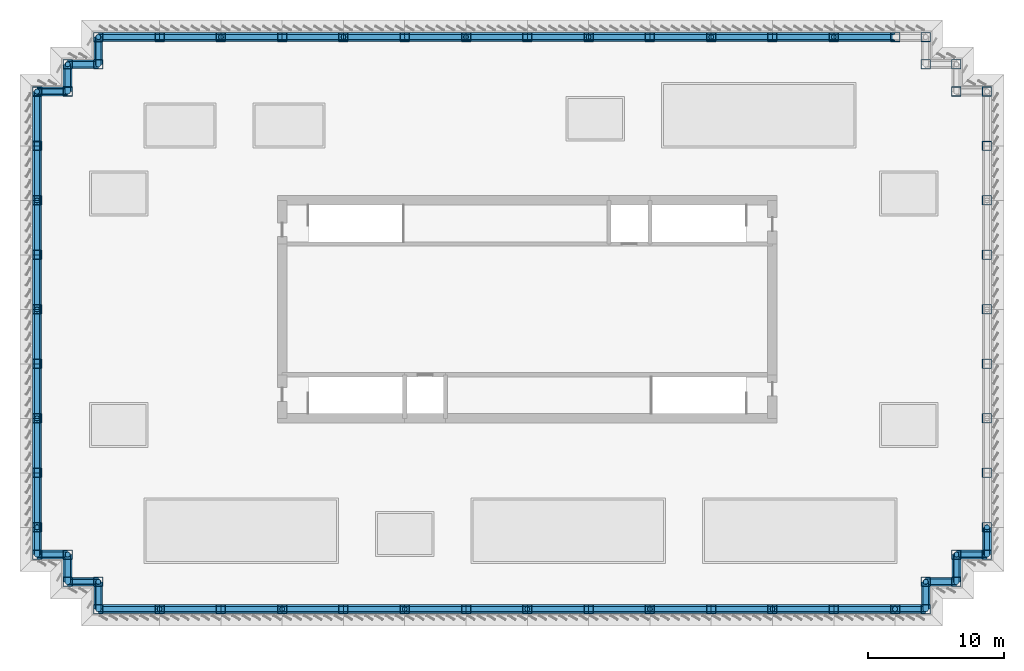
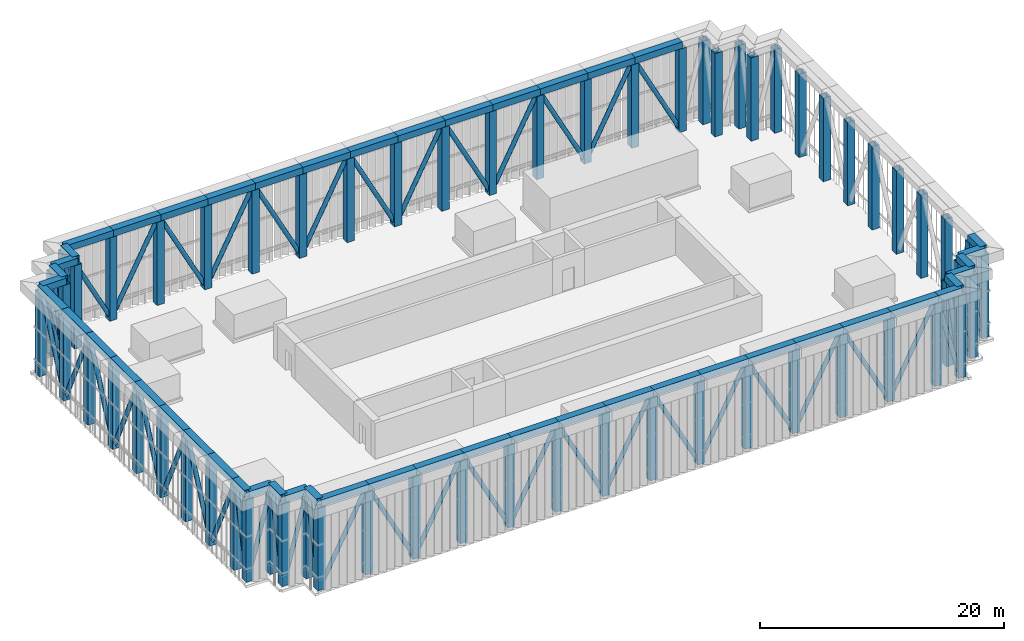
# One storey, part 1 of 11: 62 columns, 49 beams, 49 members.
"""IFC4 building model written with IfcOpenShell, lengths in metres."""

from ifc_helpers import new_model, si_unit, direction, frame, origin, origin_2d, place, context, subcontext, project, spatial, hollow_rectangle, hollow_circle, extrude, material, material_profile, profile_set, type_object, element, save


model = new_model("IFC4")

# Units and contexts
model_context = context("Model", 3, precision=1e-05, world=origin(), true_north=direction((0.0, 1.0)))
body_context = subcontext(model_context, "Body", "Model", "MODEL_VIEW")
ifc_project = project(units=[si_unit("LENGTHUNIT", "METRE"), si_unit("AREAUNIT", "SQUARE_METRE"), si_unit("VOLUMEUNIT", "CUBIC_METRE"), si_unit("PLANEANGLEUNIT", "RADIAN"), si_unit("MASSUNIT", "GRAM", prefix="KILO")], contexts=[model_context])

# Site, building, storey
site_placement = place(None, origin())
site = spatial("IfcSite", under=ifc_project, at=site_placement, CompositionType="ELEMENT")
building_placement = place(site_placement, origin())
building = spatial("IfcBuilding", under=site, at=building_placement, Name="Rheinbord Bourse Tower", CompositionType="ELEMENT")
storey_placement = place(building_placement, frame((0.0, 0.0, 334.10009765625)))
storey = spatial("IfcBuildingStorey", under=building, at=storey_placement, Name="RF", CompositionType="ELEMENT", Elevation=334.10009765625)

# Columns
ifc_material_1 = material(Name="Steel S460", Category="steel")
ifc_material_profile_1 = material_profile(ifc_material_1, hollow_rectangle(XDim=0.699951171875, YDim=0.699951171875, WallThickness=0.0400390625, at=origin_2d()), Name="BOX 700x700x40")
ifc_profile_set_1 = profile_set([ifc_material_profile_1], Name="Steel S460")
column_type = type_object("IfcColumnType", Name="CROWN FRAME POST BOX 700x700x40", PredefinedType="COLUMN", material=ifc_profile_set_1)
for number, where, z_axis, x_axis, name in (
    (1, (4.5, 2.0, 0.0), (0.0, 0.0, 1.0), (1.0, 0.0, 0.0), "Crown frame post SW-E"),
    (2, (9.0, 2.0, 0.0), (0.0, 0.0, 1.0), (1.0, 0.0, 0.0), "Crown frame post S-9"),
    (3, (13.5, 2.0, 0.0), (0.0, 0.0, 1.0), (1.0, 0.0, 0.0), "Crown frame post S-13.5"),
    (4, (18.0, 2.0, 0.0), (0.0, 0.0, 1.0), (1.0, 0.0, 0.0), "Crown frame post S-18"),
    (5, (22.5, 2.0, 0.0), (0.0, 0.0, 1.0), (1.0, 0.0, 0.0), "Crown frame post S-22.5"),
    (6, (27.0, 2.0, 0.0), (0.0, 0.0, 1.0), (1.0, 0.0, 0.0), "Crown frame post S-27"),
    (7, (31.5, 2.0, 0.0), (0.0, 0.0, 1.0), (1.0, 0.0, 0.0), "Crown frame post S-31.5"),
    (8, (36.0, 2.0, 0.0), (0.0, 0.0, 1.0), (1.0, 0.0, 0.0), "Crown frame post S-36"),
    (9, (40.5, 2.0, 0.0), (0.0, 0.0, 1.0), (1.0, 0.0, 0.0), "Crown frame post S-40.5"),
    (10, (45.0, 2.0, 0.0), (0.0, 0.0, 1.0), (1.0, 0.0, 0.0), "Crown frame post S-45"),
    (11, (49.5, 2.0, 0.0), (0.0, 0.0, 1.0), (1.0, 0.0, 0.0), "Crown frame post S-49.5"),
    (12, (54.0, 2.0, 0.0), (0.0, 0.0, 1.0), (1.0, 0.0, 0.0), "Crown frame post S-54"),
    (13, (58.5, 2.0, 0.0), (0.0, 0.0, 1.0), (1.0, 0.0, 0.0), "Crown frame post S-58.5"),
    (14, (63.0, 2.0, 0.0), (0.0, 0.0, 1.0), (1.0, 0.0, 0.0), "Crown frame post S-63"),
    (15, (65.25, 2.0, 0.0), (0.0, 0.0, 1.0), (1.0, 0.0, 0.0), "Crown frame post SE-E"),
    (16, (65.25, 4.0, 0.0), (0.0, 0.0, 1.0), (1.0, 0.0, 0.0), "Crown frame post SE-D"),
    (17, (67.5, 4.0, 0.0), (0.0, 0.0, 1.0), (1.0, 0.0, 0.0), "Crown frame post SE-C"),
    (18, (67.5, 6.0, 0.0), (0.0, 0.0, 1.0), (1.0, 0.0, 0.0), "Crown frame post SE-B"),
    (19, (69.75, 6.0, 0.0), (0.0, 0.0, 1.0), (1.0, 0.0, 0.0), "Crown frame post SE-A"),
    (20, (69.75, 8.0, 0.0), (0.0, 0.0, 1.0), (1.0, 0.0, 0.0), "Crown frame post E-8"),
    (21, (69.75, 12.0, 0.0), (0.0, 0.0, 1.0), (1.0, 0.0, 0.0), "Crown frame post E-12"),
    (22, (69.75, 16.0, 0.0), (0.0, 0.0, 1.0), (1.0, 0.0, 0.0), "Crown frame post E-16"),
    (23, (69.75, 20.0, 0.0), (0.0, 0.0, 1.0), (1.0, 0.0, 0.0), "Crown frame post E-20"),
    (24, (69.75, 24.0, 0.0), (0.0, 0.0, 1.0), (1.0, 0.0, 0.0), "Crown frame post E-24"),
    (25, (69.75, 28.0, 0.0), (0.0, 0.0, 1.0), (1.0, 0.0, 0.0), "Crown frame post E-28"),
    (26, (69.75, 32.0, 0.0), (0.0, 0.0, 1.0), (1.0, 0.0, 0.0), "Crown frame post E-32"),
    (27, (69.75, 36.0, 0.0), (0.0, 0.0, 1.0), (1.0, 0.0, 0.0), "Crown frame post E-36"),
    (28, (69.75, 40.0, 0.0), (0.0, 0.0, 1.0), (1.0, 0.0, 0.0), "Crown frame post NE-A"),
    (29, (67.5, 40.0, 0.0), (0.0, 0.0, 1.0), (1.0, 0.0, 0.0), "Crown frame post NE-B"),
    (30, (67.5, 42.0, 0.0), (0.0, 0.0, 1.0), (1.0, 0.0, 0.0), "Crown frame post NE-C"),
    (31, (65.25, 42.0, 0.0), (0.0, 0.0, 1.0), (1.0, 0.0, 0.0), "Crown frame post NE-D"),
    (32, (65.25, 44.0, 0.0), (0.0, 0.0, 1.0), (1.0, 0.0, 0.0), "Crown frame post NE-E"),
    (33, (63.0, 44.0, 0.0), (0.0, 0.0, 1.0), (1.0, 0.0, 0.0), "Crown frame post N-63"),
    (34, (58.5, 44.0, 0.0), (0.0, 0.0, 1.0), (1.0, 0.0, 0.0), "Crown frame post N-58.5"),
    (35, (54.0, 44.0, 0.0), (0.0, 0.0, 1.0), (1.0, 0.0, 0.0), "Crown frame post N-54"),
    (36, (49.5, 44.0, 0.0), (0.0, 0.0, 1.0), (1.0, 0.0, 0.0), "Crown frame post N-49.5"),
    (37, (45.0, 44.0, 0.0), (0.0, 0.0, 1.0), (1.0, 0.0, 0.0), "Crown frame post N-45"),
    (38, (40.5, 44.0, 0.0), (0.0, 0.0, 1.0), (1.0, 0.0, 0.0), "Crown frame post N-40.5"),
    (39, (36.0, 44.0, 0.0), (0.0, 0.0, 1.0), (1.0, 0.0, 0.0), "Crown frame post N-36"),
    (40, (31.5, 44.0, 0.0), (0.0, 0.0, 1.0), (1.0, 0.0, 0.0), "Crown frame post N-31.5"),
    (41, (27.0, 44.0, 0.0), (0.0, 0.0, 1.0), (1.0, 0.0, 0.0), "Crown frame post N-27"),
    (42, (22.5, 44.0, 0.0), (0.0, 0.0, 1.0), (1.0, 0.0, 0.0), "Crown frame post N-22.5"),
    (43, (18.0, 44.0, 0.0), (0.0, 0.0, 1.0), (1.0, 0.0, 0.0), "Crown frame post N-18"),
    (44, (13.5, 44.0, 0.0), (0.0, 0.0, 1.0), (1.0, 0.0, 0.0), "Crown frame post N-13.5"),
    (45, (9.0, 44.0, 0.0), (0.0, 0.0, 1.0), (1.0, 0.0, 0.0), "Crown frame post N-9"),
    (46, (4.5, 44.0, 0.0), (0.0, 0.0, 1.0), (1.0, 0.0, 0.0), "Crown frame post NW-E"),
    (47, (4.5, 42.0, 0.0), (0.0, 0.0, 1.0), (1.0, 0.0, 0.0), "Crown frame post NW-D"),
    (48, (2.25, 42.0, 0.0), (0.0, 0.0, 1.0), (1.0, 0.0, 0.0), "Crown frame post NW-C"),
    (49, (2.25, 40.0, 0.0), (0.0, 0.0, 1.0), (1.0, 0.0, 0.0), "Crown frame post NW-B"),
    (50, (0.0, 40.0, 0.0), (0.0, 0.0, 1.0), (1.0, 0.0, 0.0), "Crown frame post NW-A"),
    (51, (0.0, 36.0, 0.0), (0.0, 0.0, 1.0), (1.0, 0.0, 0.0), "Crown frame post W-36"),
    (52, (0.0, 32.0, 0.0), (0.0, 0.0, 1.0), (1.0, 0.0, 0.0), "Crown frame post W-32"),
    (53, (0.0, 28.0, 0.0), (0.0, 0.0, 1.0), (1.0, 0.0, 0.0), "Crown frame post W-28"),
    (54, (0.0, 24.0, 0.0), (0.0, 0.0, 1.0), (1.0, 0.0, 0.0), "Crown frame post W-24"),
    (55, (0.0, 20.0, 0.0), (0.0, 0.0, 1.0), (1.0, 0.0, 0.0), "Crown frame post W-20"),
    (56, (0.0, 16.0, 0.0), (0.0, 0.0, 1.0), (1.0, 0.0, 0.0), "Crown frame post W-16"),
    (57, (0.0, 12.0, 0.0), (0.0, 0.0, 1.0), (1.0, 0.0, 0.0), "Crown frame post W-12"),
    (58, (0.0, 8.0, 0.0), (0.0, 0.0, 1.0), (1.0, 0.0, 0.0), "Crown frame post W-8"),
    (59, (0.0, 6.0, 0.0), (0.0, 0.0, 1.0), (1.0, 0.0, 0.0), "Crown frame post SW-A"),
    (60, (2.25, 6.0, 0.0), (0.0, 0.0, 1.0), (1.0, 0.0, 0.0), "Crown frame post SW-B"),
    (61, (2.25, 4.0, 0.0), (0.0, 0.0, 1.0), (1.0, 0.0, 0.0), "Crown frame post SW-C"),
    (62, (4.5, 4.0, 0.0), (0.0, 0.0, 1.0), (1.0, 0.0, 0.0), "Crown frame post SW-D"),
):
    element("IfcColumn", number, at=place(storey_placement, frame(where, z_axis=z_axis, x_axis=x_axis)), inside=storey, type_object=column_type, Name=name, PredefinedType="COLUMN", context=body_context, shape_type="SweptSolid", body=[
        extrude(hollow_rectangle(XDim=0.699951171875, YDim=0.699951171875, WallThickness=0.0400390625, at=origin_2d()), origin(), (0.0, 0.0, 1.0), 8.349853515625),
    ])

# Members
ifc_material_2 = material(Name="Steel S460", Category="steel")
ifc_material_profile_2 = material_profile(ifc_material_2, hollow_circle(Radius=0.203125, WallThickness=0.02001953125, at=origin_2d()), Name="CHS 406.4x20")
ifc_profile_set_2 = profile_set([ifc_material_profile_2], Name="Steel S460")
member_type = type_object("IfcMemberType", Name="CROWN FRAME DIAGONAL CHS 406.4x20", PredefinedType="USERDEFINED", material=ifc_profile_set_2)
for number, where, z_axis, x_axis, name in (
    (63, (4.5, 2.0, 0.0), (0.460474667548, 0.0, 0.887672845449), (0.0, 1.0, 0.0), "Crown frame diagonal SW-E-S-9"),
    (64, (13.5, 2.0, 0.0), (-0.460474667548, 0.0, 0.887672845449), (0.0, -1.0, 0.0), "Crown frame diagonal S-9-S-13.5"),
    (65, (13.5, 2.0, 0.0), (0.460474667548, 0.0, 0.887672845449), (0.0, 1.0, 0.0), "Crown frame diagonal S-13.5-S-18"),
    (66, (22.5, 2.0, 0.0), (-0.460474667548, 0.0, 0.887672845449), (0.0, -1.0, 0.0), "Crown frame diagonal S-18-S-22.5"),
    (67, (22.5, 2.0, 0.0), (0.460474667548, 0.0, 0.887672845449), (0.0, 1.0, 0.0), "Crown frame diagonal S-22.5-S-27"),
    (68, (31.5, 2.0, 0.0), (-0.460474667548, 0.0, 0.887672845449), (0.0, -1.0, 0.0), "Crown frame diagonal S-27-S-31.5"),
    (69, (31.5, 2.0, 0.0), (0.460474667548, 0.0, 0.887672845449), (0.0, 1.0, 0.0), "Crown frame diagonal S-31.5-S-36"),
    (70, (40.5, 2.0, 0.0), (-0.460474667548, 0.0, 0.887672845449), (0.0, -1.0, 0.0), "Crown frame diagonal S-36-S-40.5"),
    (71, (40.5, 2.0, 0.0), (0.460474667548, 0.0, 0.887672845449), (0.0, 1.0, 0.0), "Crown frame diagonal S-40.5-S-45"),
    (72, (49.5, 2.0, 0.0), (-0.460474667548, 0.0, 0.887672845449), (0.0, -1.0, 0.0), "Crown frame diagonal S-45-S-49.5"),
    (73, (49.5, 2.0, 0.0), (0.460474667548, 0.0, 0.887672845449), (0.0, 1.0, 0.0), "Crown frame diagonal S-49.5-S-54"),
    (74, (58.5, 2.0, 0.0), (-0.460474667548, 0.0, 0.887672845449), (0.0, -1.0, 0.0), "Crown frame diagonal S-54-S-58.5"),
    (75, (58.5, 2.0, 0.0), (0.460474667548, 0.0, 0.887672845449), (0.0, 1.0, 0.0), "Crown frame diagonal S-58.5-S-63"),
):
    element("IfcMember", number, at=place(storey_placement, frame(where, z_axis=z_axis, x_axis=x_axis)), inside=storey, type_object=member_type, Name=name, ObjectType="CROWN FRAME", PredefinedType="USERDEFINED", context=body_context, shape_type="SweptSolid", body=[
        extrude(hollow_circle(Radius=0.203125, WallThickness=0.02001953125, at=origin_2d()), origin(), (0.0, 0.0, 1.0), 9.7724609375),
    ])
member_1_placement = place(storey_placement, frame((65.25, 2.0, 0.0), z_axis=(-0.251064263174, 0.0, 0.96797042091), x_axis=(0.0, -1.0, 0.0)))
element("IfcMember", 76, at=member_1_placement, inside=storey, type_object=member_type, Name="Crown frame diagonal S-63-SE-E", ObjectType="CROWN FRAME", PredefinedType="USERDEFINED", context=body_context, shape_type="SweptSolid", body=[
    extrude(hollow_circle(Radius=0.203125, WallThickness=0.02001953125, at=origin_2d()), origin(), (0.0, 0.0, 1.0), 8.9619140625),
])
member_2_placement = place(storey_placement, frame((65.25, 2.0, 0.0), z_axis=(0.0, 0.224659212699, 0.974437395706), x_axis=(-1.0, 0.0, 0.0)))
element("IfcMember", 77, at=member_2_placement, inside=storey, type_object=member_type, Name="Crown frame diagonal SE-E-SE-D", ObjectType="CROWN FRAME", PredefinedType="USERDEFINED", context=body_context, shape_type="SweptSolid", body=[
    extrude(hollow_circle(Radius=0.203125, WallThickness=0.02001953125, at=origin_2d()), origin(), (0.0, 0.0, 1.0), 8.90234375),
])
member_3_placement = place(storey_placement, frame((67.5, 4.0, 0.0), z_axis=(-0.251064263174, 0.0, 0.96797042091), x_axis=(0.0, -1.0, 0.0)))
element("IfcMember", 78, at=member_3_placement, inside=storey, type_object=member_type, Name="Crown frame diagonal SE-D-SE-C", ObjectType="CROWN FRAME", PredefinedType="USERDEFINED", context=body_context, shape_type="SweptSolid", body=[
    extrude(hollow_circle(Radius=0.203125, WallThickness=0.02001953125, at=origin_2d()), origin(), (0.0, 0.0, 1.0), 8.9619140625),
])
member_4_placement = place(storey_placement, frame((67.5, 4.0, 0.0), z_axis=(0.0, 0.224659212699, 0.974437395706), x_axis=(-1.0, 0.0, 0.0)))
element("IfcMember", 79, at=member_4_placement, inside=storey, type_object=member_type, Name="Crown frame diagonal SE-C-SE-B", ObjectType="CROWN FRAME", PredefinedType="USERDEFINED", context=body_context, shape_type="SweptSolid", body=[
    extrude(hollow_circle(Radius=0.203125, WallThickness=0.02001953125, at=origin_2d()), origin(), (0.0, 0.0, 1.0), 8.90234375),
])
member_5_placement = place(storey_placement, frame((69.75, 6.0, 0.0), z_axis=(-0.251064263174, 0.0, 0.96797042091), x_axis=(0.0, -1.0, 0.0)))
element("IfcMember", 80, at=member_5_placement, inside=storey, type_object=member_type, Name="Crown frame diagonal SE-B-SE-A", ObjectType="CROWN FRAME", PredefinedType="USERDEFINED", context=body_context, shape_type="SweptSolid", body=[
    extrude(hollow_circle(Radius=0.203125, WallThickness=0.02001953125, at=origin_2d()), origin(), (0.0, 0.0, 1.0), 8.9619140625),
])
member_6_placement = place(storey_placement, frame((69.75, 6.0, 0.0), z_axis=(0.0, 0.224659212699, 0.974437395706), x_axis=(-1.0, 0.0, 0.0)))
element("IfcMember", 81, at=member_6_placement, inside=storey, type_object=member_type, Name="Crown frame diagonal SE-A-E-8", ObjectType="CROWN FRAME", PredefinedType="USERDEFINED", context=body_context, shape_type="SweptSolid", body=[
    extrude(hollow_circle(Radius=0.203125, WallThickness=0.02001953125, at=origin_2d()), origin(), (0.0, 0.0, 1.0), 8.90234375),
])
for number, where, z_axis, x_axis, name in (
    (82, (63.0, 44.0, 0.0), (-0.460474667548, 0.0, 0.887672845449), (0.0, -1.0, 0.0), "Crown frame diagonal N-63-N-58.5"),
    (83, (54.0, 44.0, 0.0), (0.460474667548, 0.0, 0.887672845449), (0.0, 1.0, 0.0), "Crown frame diagonal N-58.5-N-54"),
    (84, (54.0, 44.0, 0.0), (-0.460474667548, 0.0, 0.887672845449), (0.0, -1.0, 0.0), "Crown frame diagonal N-54-N-49.5"),
    (85, (45.0, 44.0, 0.0), (0.460474667548, 0.0, 0.887672845449), (0.0, 1.0, 0.0), "Crown frame diagonal N-49.5-N-45"),
    (86, (45.0, 44.0, 0.0), (-0.460474667548, 0.0, 0.887672845449), (0.0, -1.0, 0.0), "Crown frame diagonal N-45-N-40.5"),
    (87, (36.0, 44.0, 0.0), (0.460474667548, 0.0, 0.887672845449), (0.0, 1.0, 0.0), "Crown frame diagonal N-40.5-N-36"),
    (88, (36.0, 44.0, 0.0), (-0.460474667548, 0.0, 0.887672845449), (0.0, -1.0, 0.0), "Crown frame diagonal N-36-N-31.5"),
    (89, (27.0, 44.0, 0.0), (0.460474667548, 0.0, 0.887672845449), (0.0, 1.0, 0.0), "Crown frame diagonal N-31.5-N-27"),
    (90, (27.0, 44.0, 0.0), (-0.460474667548, 0.0, 0.887672845449), (0.0, -1.0, 0.0), "Crown frame diagonal N-27-N-22.5"),
    (91, (18.0, 44.0, 0.0), (0.460474667548, 0.0, 0.887672845449), (0.0, 1.0, 0.0), "Crown frame diagonal N-22.5-N-18"),
    (92, (18.0, 44.0, 0.0), (-0.460474667548, 0.0, 0.887672845449), (0.0, -1.0, 0.0), "Crown frame diagonal N-18-N-13.5"),
    (93, (9.0, 44.0, 0.0), (0.460474667548, 0.0, 0.887672845449), (0.0, 1.0, 0.0), "Crown frame diagonal N-13.5-N-9"),
    (94, (9.0, 44.0, 0.0), (-0.460474667548, 0.0, 0.887672845449), (0.0, -1.0, 0.0), "Crown frame diagonal N-9-NW-E"),
):
    element("IfcMember", number, at=place(storey_placement, frame(where, z_axis=z_axis, x_axis=x_axis)), inside=storey, type_object=member_type, Name=name, ObjectType="CROWN FRAME", PredefinedType="USERDEFINED", context=body_context, shape_type="SweptSolid", body=[
        extrude(hollow_circle(Radius=0.203125, WallThickness=0.02001953125, at=origin_2d()), origin(), (0.0, 0.0, 1.0), 9.7724609375),
    ])
member_7_placement = place(storey_placement, frame((4.5, 42.0, 0.0), z_axis=(0.0, 0.224659212699, 0.974437395706), x_axis=(-1.0, 0.0, 0.0)))
element("IfcMember", 95, at=member_7_placement, inside=storey, type_object=member_type, Name="Crown frame diagonal NW-E-NW-D", ObjectType="CROWN FRAME", PredefinedType="USERDEFINED", context=body_context, shape_type="SweptSolid", body=[
    extrude(hollow_circle(Radius=0.203125, WallThickness=0.02001953125, at=origin_2d()), origin(), (0.0, 0.0, 1.0), 8.90234375),
])
member_8_placement = place(storey_placement, frame((4.5, 42.0, 0.0), z_axis=(-0.251064263174, 0.0, 0.96797042091), x_axis=(0.0, -1.0, 0.0)))
element("IfcMember", 96, at=member_8_placement, inside=storey, type_object=member_type, Name="Crown frame diagonal NW-D-NW-C", ObjectType="CROWN FRAME", PredefinedType="USERDEFINED", context=body_context, shape_type="SweptSolid", body=[
    extrude(hollow_circle(Radius=0.203125, WallThickness=0.02001953125, at=origin_2d()), origin(), (0.0, 0.0, 1.0), 8.9619140625),
])
member_9_placement = place(storey_placement, frame((2.25, 40.0, 0.0), z_axis=(0.0, 0.224659212699, 0.974437395706), x_axis=(-1.0, 0.0, 0.0)))
element("IfcMember", 97, at=member_9_placement, inside=storey, type_object=member_type, Name="Crown frame diagonal NW-C-NW-B", ObjectType="CROWN FRAME", PredefinedType="USERDEFINED", context=body_context, shape_type="SweptSolid", body=[
    extrude(hollow_circle(Radius=0.203125, WallThickness=0.02001953125, at=origin_2d()), origin(), (0.0, 0.0, 1.0), 8.90234375),
])
member_10_placement = place(storey_placement, frame((2.25, 40.0, 0.0), z_axis=(-0.251064263174, 0.0, 0.96797042091), x_axis=(0.0, -1.0, 0.0)))
element("IfcMember", 98, at=member_10_placement, inside=storey, type_object=member_type, Name="Crown frame diagonal NW-B-NW-A", ObjectType="CROWN FRAME", PredefinedType="USERDEFINED", context=body_context, shape_type="SweptSolid", body=[
    extrude(hollow_circle(Radius=0.203125, WallThickness=0.02001953125, at=origin_2d()), origin(), (0.0, 0.0, 1.0), 8.9619140625),
])
for number, where, z_axis, x_axis, name in (
    (99, (0.0, 36.0, 0.0), (0.0, 0.418734006911, 0.908108931492), (-1.0, 0.0, 0.0), "Crown frame diagonal NW-A-W-36"),
    (100, (0.0, 36.0, 0.0), (0.0, -0.418734006911, 0.908108931492), (1.0, 0.0, 0.0), "Crown frame diagonal W-36-W-32"),
    (101, (0.0, 28.0, 0.0), (0.0, 0.418734006911, 0.908108931492), (-1.0, 0.0, 0.0), "Crown frame diagonal W-32-W-28"),
    (102, (0.0, 28.0, 0.0), (0.0, -0.418734006911, 0.908108931492), (1.0, 0.0, 0.0), "Crown frame diagonal W-28-W-24"),
    (103, (0.0, 20.0, 0.0), (0.0, 0.418734006911, 0.908108931492), (-1.0, 0.0, 0.0), "Crown frame diagonal W-24-W-20"),
    (104, (0.0, 20.0, 0.0), (0.0, -0.418734006911, 0.908108931492), (1.0, 0.0, 0.0), "Crown frame diagonal W-20-W-16"),
    (105, (0.0, 12.0, 0.0), (0.0, 0.418734006911, 0.908108931492), (-1.0, 0.0, 0.0), "Crown frame diagonal W-16-W-12"),
    (106, (0.0, 12.0, 0.0), (0.0, -0.418734006911, 0.908108931492), (1.0, 0.0, 0.0), "Crown frame diagonal W-12-W-8"),
):
    element("IfcMember", number, at=place(storey_placement, frame(where, z_axis=z_axis, x_axis=x_axis)), inside=storey, type_object=member_type, Name=name, ObjectType="CROWN FRAME", PredefinedType="USERDEFINED", context=body_context, shape_type="SweptSolid", body=[
        extrude(hollow_circle(Radius=0.203125, WallThickness=0.02001953125, at=origin_2d()), origin(), (0.0, 0.0, 1.0), 9.552490234375),
    ])
member_11_placement = place(storey_placement, frame((0.0, 6.0, 0.0), z_axis=(0.0, 0.224659212699, 0.974437395706), x_axis=(-1.0, 0.0, 0.0)))
element("IfcMember", 107, at=member_11_placement, inside=storey, type_object=member_type, Name="Crown frame diagonal W-8-SW-A", ObjectType="CROWN FRAME", PredefinedType="USERDEFINED", context=body_context, shape_type="SweptSolid", body=[
    extrude(hollow_circle(Radius=0.203125, WallThickness=0.02001953125, at=origin_2d()), origin(), (0.0, 0.0, 1.0), 8.90234375),
])
member_12_placement = place(storey_placement, frame((0.0, 6.0, 0.0), z_axis=(0.251064263174, 0.0, 0.96797042091), x_axis=(0.0, 1.0, 0.0)))
element("IfcMember", 108, at=member_12_placement, inside=storey, type_object=member_type, Name="Crown frame diagonal SW-A-SW-B", ObjectType="CROWN FRAME", PredefinedType="USERDEFINED", context=body_context, shape_type="SweptSolid", body=[
    extrude(hollow_circle(Radius=0.203125, WallThickness=0.02001953125, at=origin_2d()), origin(), (0.0, 0.0, 1.0), 8.9619140625),
])
member_13_placement = place(storey_placement, frame((2.25, 4.0, 0.0), z_axis=(0.0, 0.224659212699, 0.974437395706), x_axis=(-1.0, 0.0, 0.0)))
element("IfcMember", 109, at=member_13_placement, inside=storey, type_object=member_type, Name="Crown frame diagonal SW-B-SW-C", ObjectType="CROWN FRAME", PredefinedType="USERDEFINED", context=body_context, shape_type="SweptSolid", body=[
    extrude(hollow_circle(Radius=0.203125, WallThickness=0.02001953125, at=origin_2d()), origin(), (0.0, 0.0, 1.0), 8.90234375),
])
member_14_placement = place(storey_placement, frame((2.25, 4.0, 0.0), z_axis=(0.251064263174, 0.0, 0.96797042091), x_axis=(0.0, 1.0, 0.0)))
element("IfcMember", 110, at=member_14_placement, inside=storey, type_object=member_type, Name="Crown frame diagonal SW-C-SW-D", ObjectType="CROWN FRAME", PredefinedType="USERDEFINED", context=body_context, shape_type="SweptSolid", body=[
    extrude(hollow_circle(Radius=0.203125, WallThickness=0.02001953125, at=origin_2d()), origin(), (0.0, 0.0, 1.0), 8.9619140625),
])
member_15_placement = place(storey_placement, frame((4.5, 2.0, 0.0), z_axis=(0.0, 0.224659212699, 0.974437395706), x_axis=(-1.0, 0.0, 0.0)))
element("IfcMember", 111, at=member_15_placement, inside=storey, type_object=member_type, Name="Crown frame diagonal SW-D-SW-E", ObjectType="CROWN FRAME", PredefinedType="USERDEFINED", context=body_context, shape_type="SweptSolid", body=[
    extrude(hollow_circle(Radius=0.203125, WallThickness=0.02001953125, at=origin_2d()), origin(), (0.0, 0.0, 1.0), 8.90234375),
])

# Beams
ifc_material_3 = material(Name="Steel S460", Category="steel")
ifc_material_profile_3 = material_profile(ifc_material_3, hollow_rectangle(XDim=0.64990234375, YDim=0.64990234375, WallThickness=0.02490234375, at=origin_2d()), Name="BOX 650x650x25")
ifc_profile_set_3 = profile_set([ifc_material_profile_3], Name="Steel S460")
beam_type = type_object("IfcBeamType", Name="CROWN FRAME RING BOX 650x650x25", PredefinedType="USERDEFINED", material=ifc_profile_set_3)
for number, where, z_axis, x_axis, name in (
    (112, (4.5, 2.0, 8.6748046875), (1.0, 0.0, 0.0), (0.0, 1.0, 0.0), "Crown frame ring SW-E-S-9"),
    (113, (9.0, 2.0, 8.6748046875), (1.0, 0.0, 0.0), (0.0, 1.0, 0.0), "Crown frame ring S-9-S-13.5"),
    (114, (13.5, 2.0, 8.6748046875), (1.0, 0.0, 0.0), (0.0, 1.0, 0.0), "Crown frame ring S-13.5-S-18"),
    (115, (18.0, 2.0, 8.6748046875), (1.0, 0.0, 0.0), (0.0, 1.0, 0.0), "Crown frame ring S-18-S-22.5"),
    (116, (22.5, 2.0, 8.6748046875), (1.0, 0.0, 0.0), (0.0, 1.0, 0.0), "Crown frame ring S-22.5-S-27"),
    (117, (27.0, 2.0, 8.6748046875), (1.0, 0.0, 0.0), (0.0, 1.0, 0.0), "Crown frame ring S-27-S-31.5"),
    (118, (31.5, 2.0, 8.6748046875), (1.0, 0.0, 0.0), (0.0, 1.0, 0.0), "Crown frame ring S-31.5-S-36"),
    (119, (36.0, 2.0, 8.6748046875), (1.0, 0.0, 0.0), (0.0, 1.0, 0.0), "Crown frame ring S-36-S-40.5"),
    (120, (40.5, 2.0, 8.6748046875), (1.0, 0.0, 0.0), (0.0, 1.0, 0.0), "Crown frame ring S-40.5-S-45"),
    (121, (45.0, 2.0, 8.6748046875), (1.0, 0.0, 0.0), (0.0, 1.0, 0.0), "Crown frame ring S-45-S-49.5"),
    (122, (49.5, 2.0, 8.6748046875), (1.0, 0.0, 0.0), (0.0, 1.0, 0.0), "Crown frame ring S-49.5-S-54"),
    (123, (54.0, 2.0, 8.6748046875), (1.0, 0.0, 0.0), (0.0, 1.0, 0.0), "Crown frame ring S-54-S-58.5"),
    (124, (58.5, 2.0, 8.6748046875), (1.0, 0.0, 0.0), (0.0, 1.0, 0.0), "Crown frame ring S-58.5-S-63"),
):
    element("IfcBeam", number, at=place(storey_placement, frame(where, z_axis=z_axis, x_axis=x_axis)), inside=storey, type_object=beam_type, Name=name, ObjectType="CROWN FRAME RING", PredefinedType="USERDEFINED", context=body_context, shape_type="SweptSolid", body=[
        extrude(hollow_rectangle(XDim=0.64990234375, YDim=0.64990234375, WallThickness=0.02490234375, at=origin_2d()), origin(), (0.0, 0.0, 1.0), 4.5),
    ])
beam_1_placement = place(storey_placement, frame((63.0, 2.0, 8.6748046875), z_axis=(1.0, 0.0, 0.0), x_axis=(0.0, 1.0, 0.0)))
element("IfcBeam", 125, at=beam_1_placement, inside=storey, type_object=beam_type, Name="Crown frame ring S-63-SE-E", ObjectType="CROWN FRAME RING", PredefinedType="USERDEFINED", context=body_context, shape_type="SweptSolid", body=[
    extrude(hollow_rectangle(XDim=0.64990234375, YDim=0.64990234375, WallThickness=0.02490234375, at=origin_2d()), origin(), (0.0, 0.0, 1.0), 2.25),
])
beam_2_placement = place(storey_placement, frame((65.25, 2.0, 8.6748046875), z_axis=(0.0, 1.0, 0.0), x_axis=(-1.0, 0.0, 0.0)))
element("IfcBeam", 126, at=beam_2_placement, inside=storey, type_object=beam_type, Name="Crown frame ring SE-E-SE-D", ObjectType="CROWN FRAME RING", PredefinedType="USERDEFINED", context=body_context, shape_type="SweptSolid", body=[
    extrude(hollow_rectangle(XDim=0.64990234375, YDim=0.64990234375, WallThickness=0.02490234375, at=origin_2d()), origin(), (0.0, 0.0, 1.0), 2.0),
])
beam_3_placement = place(storey_placement, frame((65.25, 4.0, 8.6748046875), z_axis=(1.0, 0.0, 0.0), x_axis=(0.0, 1.0, 0.0)))
element("IfcBeam", 127, at=beam_3_placement, inside=storey, type_object=beam_type, Name="Crown frame ring SE-D-SE-C", ObjectType="CROWN FRAME RING", PredefinedType="USERDEFINED", context=body_context, shape_type="SweptSolid", body=[
    extrude(hollow_rectangle(XDim=0.64990234375, YDim=0.64990234375, WallThickness=0.02490234375, at=origin_2d()), origin(), (0.0, 0.0, 1.0), 2.25),
])
beam_4_placement = place(storey_placement, frame((67.5, 4.0, 8.6748046875), z_axis=(0.0, 1.0, 0.0), x_axis=(-1.0, 0.0, 0.0)))
element("IfcBeam", 128, at=beam_4_placement, inside=storey, type_object=beam_type, Name="Crown frame ring SE-C-SE-B", ObjectType="CROWN FRAME RING", PredefinedType="USERDEFINED", context=body_context, shape_type="SweptSolid", body=[
    extrude(hollow_rectangle(XDim=0.64990234375, YDim=0.64990234375, WallThickness=0.02490234375, at=origin_2d()), origin(), (0.0, 0.0, 1.0), 2.0),
])
beam_5_placement = place(storey_placement, frame((67.5, 6.0, 8.6748046875), z_axis=(1.0, 0.0, 0.0), x_axis=(0.0, 1.0, 0.0)))
element("IfcBeam", 129, at=beam_5_placement, inside=storey, type_object=beam_type, Name="Crown frame ring SE-B-SE-A", ObjectType="CROWN FRAME RING", PredefinedType="USERDEFINED", context=body_context, shape_type="SweptSolid", body=[
    extrude(hollow_rectangle(XDim=0.64990234375, YDim=0.64990234375, WallThickness=0.02490234375, at=origin_2d()), origin(), (0.0, 0.0, 1.0), 2.25),
])
beam_6_placement = place(storey_placement, frame((69.75, 6.0, 8.6748046875), z_axis=(0.0, 1.0, 0.0), x_axis=(-1.0, 0.0, 0.0)))
element("IfcBeam", 130, at=beam_6_placement, inside=storey, type_object=beam_type, Name="Crown frame ring SE-A-E-8", ObjectType="CROWN FRAME RING", PredefinedType="USERDEFINED", context=body_context, shape_type="SweptSolid", body=[
    extrude(hollow_rectangle(XDim=0.64990234375, YDim=0.64990234375, WallThickness=0.02490234375, at=origin_2d()), origin(), (0.0, 0.0, 1.0), 2.0),
])
for number, where, z_axis, x_axis, name in (
    (131, (63.0, 44.0, 8.6748046875), (-1.0, 0.0, 0.0), (0.0, -1.0, 0.0), "Crown frame ring N-63-N-58.5"),
    (132, (58.5, 44.0, 8.6748046875), (-1.0, 0.0, 0.0), (0.0, -1.0, 0.0), "Crown frame ring N-58.5-N-54"),
    (133, (54.0, 44.0, 8.6748046875), (-1.0, 0.0, 0.0), (0.0, -1.0, 0.0), "Crown frame ring N-54-N-49.5"),
    (134, (49.5, 44.0, 8.6748046875), (-1.0, 0.0, 0.0), (0.0, -1.0, 0.0), "Crown frame ring N-49.5-N-45"),
    (135, (45.0, 44.0, 8.6748046875), (-1.0, 0.0, 0.0), (0.0, -1.0, 0.0), "Crown frame ring N-45-N-40.5"),
    (136, (40.5, 44.0, 8.6748046875), (-1.0, 0.0, 0.0), (0.0, -1.0, 0.0), "Crown frame ring N-40.5-N-36"),
    (137, (36.0, 44.0, 8.6748046875), (-1.0, 0.0, 0.0), (0.0, -1.0, 0.0), "Crown frame ring N-36-N-31.5"),
    (138, (31.5, 44.0, 8.6748046875), (-1.0, 0.0, 0.0), (0.0, -1.0, 0.0), "Crown frame ring N-31.5-N-27"),
    (139, (27.0, 44.0, 8.6748046875), (-1.0, 0.0, 0.0), (0.0, -1.0, 0.0), "Crown frame ring N-27-N-22.5"),
    (140, (22.5, 44.0, 8.6748046875), (-1.0, 0.0, 0.0), (0.0, -1.0, 0.0), "Crown frame ring N-22.5-N-18"),
    (141, (18.0, 44.0, 8.6748046875), (-1.0, 0.0, 0.0), (0.0, -1.0, 0.0), "Crown frame ring N-18-N-13.5"),
    (142, (13.5, 44.0, 8.6748046875), (-1.0, 0.0, 0.0), (0.0, -1.0, 0.0), "Crown frame ring N-13.5-N-9"),
    (143, (9.0, 44.0, 8.6748046875), (-1.0, 0.0, 0.0), (0.0, -1.0, 0.0), "Crown frame ring N-9-NW-E"),
):
    element("IfcBeam", number, at=place(storey_placement, frame(where, z_axis=z_axis, x_axis=x_axis)), inside=storey, type_object=beam_type, Name=name, ObjectType="CROWN FRAME RING", PredefinedType="USERDEFINED", context=body_context, shape_type="SweptSolid", body=[
        extrude(hollow_rectangle(XDim=0.64990234375, YDim=0.64990234375, WallThickness=0.02490234375, at=origin_2d()), origin(), (0.0, 0.0, 1.0), 4.5),
    ])
beam_7_placement = place(storey_placement, frame((4.5, 44.0, 8.6748046875), z_axis=(0.0, -1.0, 0.0), x_axis=(1.0, 0.0, 0.0)))
element("IfcBeam", 144, at=beam_7_placement, inside=storey, type_object=beam_type, Name="Crown frame ring NW-E-NW-D", ObjectType="CROWN FRAME RING", PredefinedType="USERDEFINED", context=body_context, shape_type="SweptSolid", body=[
    extrude(hollow_rectangle(XDim=0.64990234375, YDim=0.64990234375, WallThickness=0.02490234375, at=origin_2d()), origin(), (0.0, 0.0, 1.0), 2.0),
])
beam_8_placement = place(storey_placement, frame((4.5, 42.0, 8.6748046875), z_axis=(-1.0, 0.0, 0.0), x_axis=(0.0, -1.0, 0.0)))
element("IfcBeam", 145, at=beam_8_placement, inside=storey, type_object=beam_type, Name="Crown frame ring NW-D-NW-C", ObjectType="CROWN FRAME RING", PredefinedType="USERDEFINED", context=body_context, shape_type="SweptSolid", body=[
    extrude(hollow_rectangle(XDim=0.64990234375, YDim=0.64990234375, WallThickness=0.02490234375, at=origin_2d()), origin(), (0.0, 0.0, 1.0), 2.25),
])
beam_9_placement = place(storey_placement, frame((2.25, 42.0, 8.6748046875), z_axis=(0.0, -1.0, 0.0), x_axis=(1.0, 0.0, 0.0)))
element("IfcBeam", 146, at=beam_9_placement, inside=storey, type_object=beam_type, Name="Crown frame ring NW-C-NW-B", ObjectType="CROWN FRAME RING", PredefinedType="USERDEFINED", context=body_context, shape_type="SweptSolid", body=[
    extrude(hollow_rectangle(XDim=0.64990234375, YDim=0.64990234375, WallThickness=0.02490234375, at=origin_2d()), origin(), (0.0, 0.0, 1.0), 2.0),
])
beam_10_placement = place(storey_placement, frame((2.25, 40.0, 8.6748046875), z_axis=(-1.0, 0.0, 0.0), x_axis=(0.0, -1.0, 0.0)))
element("IfcBeam", 147, at=beam_10_placement, inside=storey, type_object=beam_type, Name="Crown frame ring NW-B-NW-A", ObjectType="CROWN FRAME RING", PredefinedType="USERDEFINED", context=body_context, shape_type="SweptSolid", body=[
    extrude(hollow_rectangle(XDim=0.64990234375, YDim=0.64990234375, WallThickness=0.02490234375, at=origin_2d()), origin(), (0.0, 0.0, 1.0), 2.25),
])
for number, where, z_axis, x_axis, name in (
    (148, (0.0, 40.0, 8.6748046875), (0.0, -1.0, 0.0), (1.0, 0.0, 0.0), "Crown frame ring NW-A-W-36"),
    (149, (0.0, 36.0, 8.6748046875), (0.0, -1.0, 0.0), (1.0, 0.0, 0.0), "Crown frame ring W-36-W-32"),
    (150, (0.0, 32.0, 8.6748046875), (0.0, -1.0, 0.0), (1.0, 0.0, 0.0), "Crown frame ring W-32-W-28"),
    (151, (0.0, 28.0, 8.6748046875), (0.0, -1.0, 0.0), (1.0, 0.0, 0.0), "Crown frame ring W-28-W-24"),
    (152, (0.0, 24.0, 8.6748046875), (0.0, -1.0, 0.0), (1.0, 0.0, 0.0), "Crown frame ring W-24-W-20"),
    (153, (0.0, 20.0, 8.6748046875), (0.0, -1.0, 0.0), (1.0, 0.0, 0.0), "Crown frame ring W-20-W-16"),
    (154, (0.0, 16.0, 8.6748046875), (0.0, -1.0, 0.0), (1.0, 0.0, 0.0), "Crown frame ring W-16-W-12"),
    (155, (0.0, 12.0, 8.6748046875), (0.0, -1.0, 0.0), (1.0, 0.0, 0.0), "Crown frame ring W-12-W-8"),
):
    element("IfcBeam", number, at=place(storey_placement, frame(where, z_axis=z_axis, x_axis=x_axis)), inside=storey, type_object=beam_type, Name=name, ObjectType="CROWN FRAME RING", PredefinedType="USERDEFINED", context=body_context, shape_type="SweptSolid", body=[
        extrude(hollow_rectangle(XDim=0.64990234375, YDim=0.64990234375, WallThickness=0.02490234375, at=origin_2d()), origin(), (0.0, 0.0, 1.0), 4.0),
    ])
beam_11_placement = place(storey_placement, frame((0.0, 8.0, 8.6748046875), z_axis=(0.0, -1.0, 0.0), x_axis=(1.0, 0.0, 0.0)))
element("IfcBeam", 156, at=beam_11_placement, inside=storey, type_object=beam_type, Name="Crown frame ring W-8-SW-A", ObjectType="CROWN FRAME RING", PredefinedType="USERDEFINED", context=body_context, shape_type="SweptSolid", body=[
    extrude(hollow_rectangle(XDim=0.64990234375, YDim=0.64990234375, WallThickness=0.02490234375, at=origin_2d()), origin(), (0.0, 0.0, 1.0), 2.0),
])
beam_12_placement = place(storey_placement, frame((0.0, 6.0, 8.6748046875), z_axis=(1.0, 0.0, 0.0), x_axis=(0.0, 1.0, 0.0)))
element("IfcBeam", 157, at=beam_12_placement, inside=storey, type_object=beam_type, Name="Crown frame ring SW-A-SW-B", ObjectType="CROWN FRAME RING", PredefinedType="USERDEFINED", context=body_context, shape_type="SweptSolid", body=[
    extrude(hollow_rectangle(XDim=0.64990234375, YDim=0.64990234375, WallThickness=0.02490234375, at=origin_2d()), origin(), (0.0, 0.0, 1.0), 2.25),
])
beam_13_placement = place(storey_placement, frame((2.25, 6.0, 8.6748046875), z_axis=(0.0, -1.0, 0.0), x_axis=(1.0, 0.0, 0.0)))
element("IfcBeam", 158, at=beam_13_placement, inside=storey, type_object=beam_type, Name="Crown frame ring SW-B-SW-C", ObjectType="CROWN FRAME RING", PredefinedType="USERDEFINED", context=body_context, shape_type="SweptSolid", body=[
    extrude(hollow_rectangle(XDim=0.64990234375, YDim=0.64990234375, WallThickness=0.02490234375, at=origin_2d()), origin(), (0.0, 0.0, 1.0), 2.0),
])
beam_14_placement = place(storey_placement, frame((2.25, 4.0, 8.6748046875), z_axis=(1.0, 0.0, 0.0), x_axis=(0.0, 1.0, 0.0)))
element("IfcBeam", 159, at=beam_14_placement, inside=storey, type_object=beam_type, Name="Crown frame ring SW-C-SW-D", ObjectType="CROWN FRAME RING", PredefinedType="USERDEFINED", context=body_context, shape_type="SweptSolid", body=[
    extrude(hollow_rectangle(XDim=0.64990234375, YDim=0.64990234375, WallThickness=0.02490234375, at=origin_2d()), origin(), (0.0, 0.0, 1.0), 2.25),
])
beam_15_placement = place(storey_placement, frame((4.5, 4.0, 8.6748046875), z_axis=(0.0, -1.0, 0.0), x_axis=(1.0, 0.0, 0.0)))
element("IfcBeam", 160, at=beam_15_placement, inside=storey, type_object=beam_type, Name="Crown frame ring SW-D-SW-E", ObjectType="CROWN FRAME RING", PredefinedType="USERDEFINED", context=body_context, shape_type="SweptSolid", body=[
    extrude(hollow_rectangle(XDim=0.64990234375, YDim=0.64990234375, WallThickness=0.02490234375, at=origin_2d()), origin(), (0.0, 0.0, 1.0), 2.0),
])

save(model, "model.ifc")
